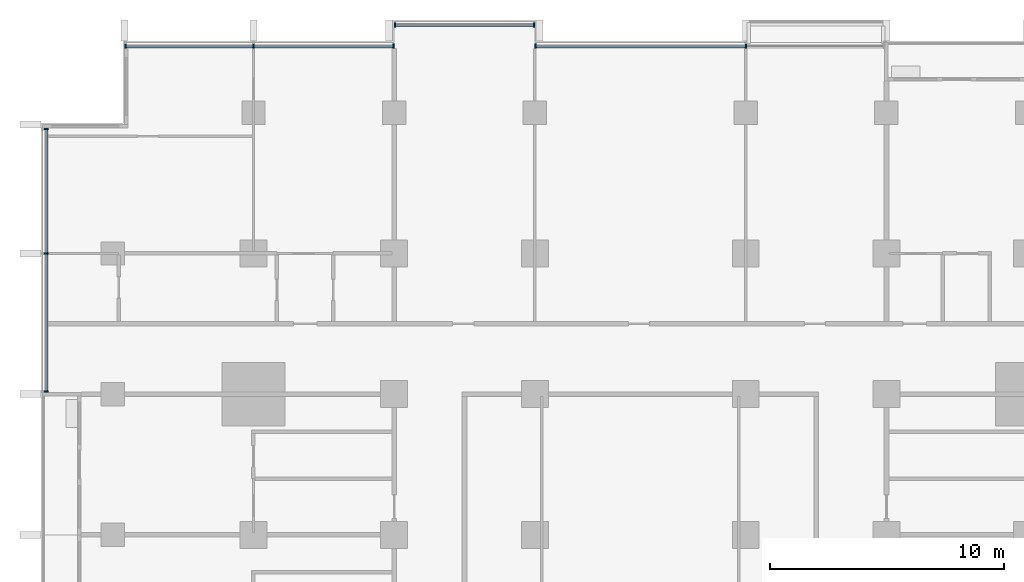
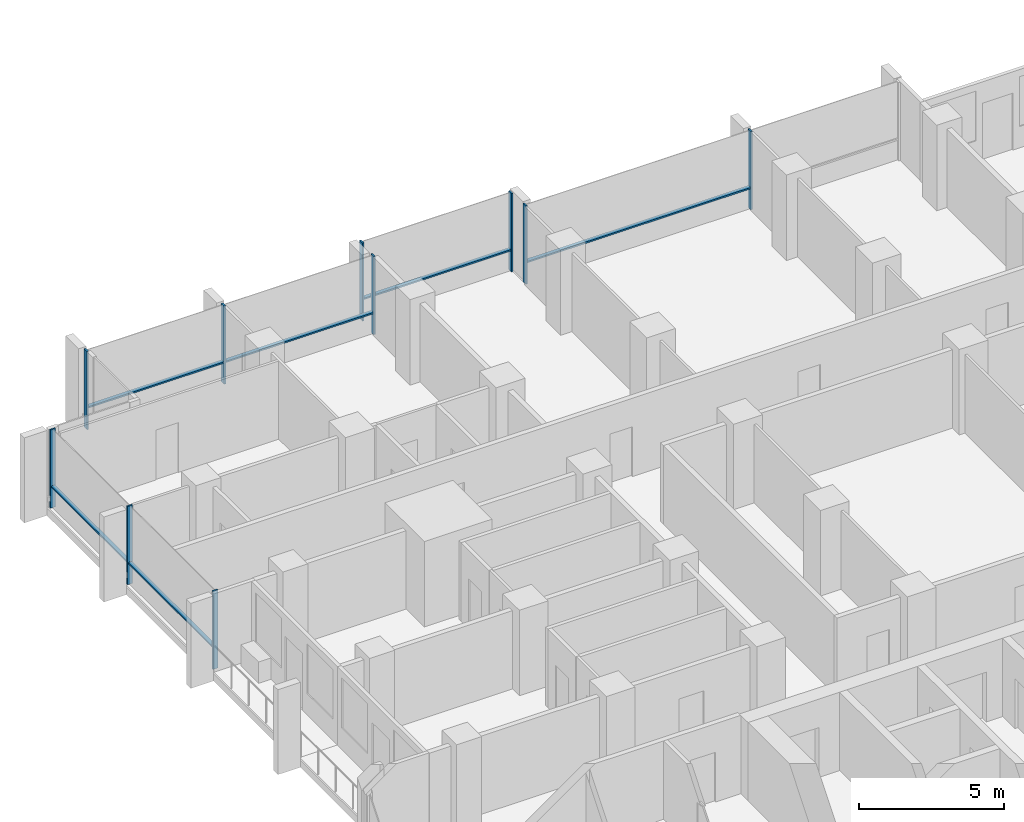
# One storey, part 4 of 17: 16 members, 4 elements without a shape of their own.
"""IFC4 building model written with IfcOpenShell, lengths in metres."""

from ifc_helpers import new_model, si_unit, direction, frame, origin, origin_2d, place, context, subcontext, project, spatial, rectangle, extrude, material, material_profile, profile_set, type_object, element, aggregate, save


model = new_model("IFC4")

# Units and contexts
model_context = context("Model", 3, precision=1e-05, world=origin(), true_north=direction((0.0, 1.0)))
body_context = subcontext(model_context, "Body", "Model", "MODEL_VIEW")
ifc_project = project(units=[si_unit("LENGTHUNIT", "METRE"), si_unit("AREAUNIT", "SQUARE_METRE"), si_unit("VOLUMEUNIT", "CUBIC_METRE"), si_unit("PLANEANGLEUNIT", "RADIAN"), si_unit("MASSUNIT", "GRAM", prefix="KILO")], contexts=[model_context])

# Site, building, storey
site_placement = place(None, origin())
site = spatial("IfcSite", under=ifc_project, at=site_placement, CompositionType="ELEMENT")
building_placement = place(site_placement, origin())
building = spatial("IfcBuilding", under=site, at=building_placement, Name="Finial Court Residences", CompositionType="ELEMENT")
storey_placement = place(building_placement, frame((0.0, 0.0, 117.10009765625)))
storey = spatial("IfcBuildingStorey", under=building, at=storey_placement, Name="L29", CompositionType="ELEMENT", Elevation=117.10009765625)

# Curtain wall, members
ifc_material = material(Name="Bronze anodised aluminium", Category="aluminium")
curtain_wall_type = type_object("IfcCurtainWallType", Name="Unitised curtain wall, lower and middle zones", PredefinedType="NOTDEFINED", material=ifc_material)
curtain_wall_1_placement = place(storey_placement, origin())
curtain_wall_1 = element("IfcCurtainWall", 1, at=curtain_wall_1_placement, inside=storey, type_object=curtain_wall_type, Name="E-L29-CW-N1", PredefinedType="NOTDEFINED")
ifc_material_profile_1 = material_profile(ifc_material, rectangle(XDim=0.199951171875, YDim=0.06494140625, at=origin_2d()), Name="CW1 mullion 65 x 200")
ifc_profile_set_1 = profile_set([ifc_material_profile_1], Name="Bronze anodised aluminium")
member_type_1 = type_object("IfcMemberType", Name="CW1 mullion 65 x 200", PredefinedType="MULLION", material=ifc_profile_set_1)
member_1_placement = place(storey_placement, frame((-21.967529296875, 22.35009765625, 0.0), z_axis=(0.0, 0.0, 1.0), x_axis=(0.0, 1.0, 0.0)))
member_1 = element("IfcMember", 2, at=member_1_placement, type_object=member_type_1, Name="CW1 mullion 1", PredefinedType="MULLION", context=body_context, shape_type="SweptSolid", body=[
    extrude(rectangle(XDim=0.199951171875, YDim=0.06494140625, at=origin_2d()), origin(), (0.0, 0.0, 1.0), 3.2998046875),
])
member_2_placement = place(storey_placement, frame((-16.5, 22.35009765625, 0.0), z_axis=(0.0, 0.0, 1.0), x_axis=(0.0, 1.0, 0.0)))
member_2 = element("IfcMember", 3, at=member_2_placement, type_object=member_type_1, Name="CW1 mullion 2", PredefinedType="MULLION", context=body_context, shape_type="SweptSolid", body=[
    extrude(rectangle(XDim=0.199951171875, YDim=0.06494140625, at=origin_2d()), origin(), (0.0, 0.0, 1.0), 3.2998046875),
])
member_3_placement = place(storey_placement, frame((-10.532470703125, 22.35009765625, 0.0), z_axis=(0.0, 0.0, 1.0), x_axis=(0.0, 1.0, 0.0)))
member_3 = element("IfcMember", 4, at=member_3_placement, type_object=member_type_1, Name="CW1 mullion 3", PredefinedType="MULLION", context=body_context, shape_type="SweptSolid", body=[
    extrude(rectangle(XDim=0.199951171875, YDim=0.06494140625, at=origin_2d()), origin(), (0.0, 0.0, 1.0), 3.2998046875),
])

curtain_wall_2_placement = place(storey_placement, origin())
curtain_wall_2 = element("IfcCurtainWall", 5, at=curtain_wall_2_placement, inside=storey, type_object=curtain_wall_type, Name="E-L29-CW-N2", PredefinedType="NOTDEFINED")
member_4_placement = place(storey_placement, frame((-10.467529296875, 23.25, 0.0), z_axis=(0.0, 0.0, 1.0), x_axis=(0.0, 1.0, 0.0)))
member_4 = element("IfcMember", 6, at=member_4_placement, type_object=member_type_1, Name="CW1 mullion 1", PredefinedType="MULLION", context=body_context, shape_type="SweptSolid", body=[
    extrude(rectangle(XDim=0.199951171875, YDim=0.06494140625, at=origin_2d()), origin(), (0.0, 0.0, 1.0), 3.2998046875),
])
member_5_placement = place(storey_placement, frame((-4.532470703125, 23.25, 0.0), z_axis=(0.0, 0.0, 1.0), x_axis=(0.0, 1.0, 0.0)))
member_5 = element("IfcMember", 7, at=member_5_placement, type_object=member_type_1, Name="CW1 mullion 2", PredefinedType="MULLION", context=body_context, shape_type="SweptSolid", body=[
    extrude(rectangle(XDim=0.199951171875, YDim=0.06494140625, at=origin_2d()), origin(), (0.0, 0.0, 1.0), 3.2998046875),
])

curtain_wall_3_placement = place(storey_placement, origin())
curtain_wall_3 = element("IfcCurtainWall", 8, at=curtain_wall_3_placement, inside=storey, type_object=curtain_wall_type, Name="E-L29-CW-N3", PredefinedType="NOTDEFINED")
member_6_placement = place(storey_placement, frame((-4.467529296875, 22.35009765625, 0.0), z_axis=(0.0, 0.0, 1.0), x_axis=(0.0, 1.0, 0.0)))
member_6 = element("IfcMember", 9, at=member_6_placement, type_object=member_type_1, Name="CW1 mullion 1", PredefinedType="MULLION", context=body_context, shape_type="SweptSolid", body=[
    extrude(rectangle(XDim=0.199951171875, YDim=0.06494140625, at=origin_2d()), origin(), (0.0, 0.0, 1.0), 3.2998046875),
])
member_7_placement = place(storey_placement, frame((4.5, 22.35009765625, 0.0), z_axis=(0.0, 0.0, 1.0), x_axis=(0.0, 1.0, 0.0)))
member_7 = element("IfcMember", 10, at=member_7_placement, type_object=member_type_1, Name="CW1 mullion 2", PredefinedType="MULLION", context=body_context, shape_type="SweptSolid", body=[
    extrude(rectangle(XDim=0.199951171875, YDim=0.06494140625, at=origin_2d()), origin(), (0.0, 0.0, 1.0), 3.2998046875),
])

curtain_wall_4_placement = place(storey_placement, origin())
curtain_wall_4 = element("IfcCurtainWall", 11, at=curtain_wall_4_placement, inside=storey, type_object=curtain_wall_type, Name="E-L29-CW-W13", PredefinedType="NOTDEFINED")
member_8_placement = place(storey_placement, frame((-25.35009765625, 7.607421875, 0.0), z_axis=(0.0, 0.0, 1.0), x_axis=(-1.0, 0.0, 0.0)))
member_8 = element("IfcMember", 12, at=member_8_placement, type_object=member_type_1, Name="CW1 mullion 1", PredefinedType="MULLION", context=body_context, shape_type="SweptSolid", body=[
    extrude(rectangle(XDim=0.199951171875, YDim=0.06494140625, at=origin_2d()), origin(), (0.0, 0.0, 1.0), 3.2998046875),
])
member_9_placement = place(storey_placement, frame((-25.35009765625, 13.5, 0.0), z_axis=(0.0, 0.0, 1.0), x_axis=(-1.0, 0.0, 0.0)))
member_9 = element("IfcMember", 13, at=member_9_placement, type_object=member_type_1, Name="CW1 mullion 2", PredefinedType="MULLION", context=body_context, shape_type="SweptSolid", body=[
    extrude(rectangle(XDim=0.199951171875, YDim=0.06494140625, at=origin_2d()), origin(), (0.0, 0.0, 1.0), 3.2998046875),
])
member_10_placement = place(storey_placement, frame((-25.35009765625, 18.8173828125, 0.0), z_axis=(0.0, 0.0, 1.0), x_axis=(-1.0, 0.0, 0.0)))
member_10 = element("IfcMember", 14, at=member_10_placement, type_object=member_type_1, Name="CW1 mullion 3", PredefinedType="MULLION", context=body_context, shape_type="SweptSolid", body=[
    extrude(rectangle(XDim=0.199951171875, YDim=0.06494140625, at=origin_2d()), origin(), (0.0, 0.0, 1.0), 3.2998046875),
])

# Member
ifc_material_profile_2 = material_profile(ifc_material, rectangle(XDim=0.14990234375, YDim=0.06494140625, at=origin_2d()), Name="CW1 transom 65 x 150")
ifc_profile_set_2 = profile_set([ifc_material_profile_2], Name="Bronze anodised aluminium")
member_type_2 = type_object("IfcMemberType", Name="CW1 transom 65 x 150", PredefinedType="USERDEFINED", material=ifc_profile_set_2)
member_11_placement = place(storey_placement, frame((-21.93505859375, 22.35009765625, 0.89990234375), z_axis=(1.0, 0.0, 0.0), x_axis=(0.0, 1.0, 0.0)))
member_11 = element("IfcMember", 15, at=member_11_placement, type_object=member_type_2, Name="CW1 transom 1.1", ObjectType="TRANSOM", PredefinedType="USERDEFINED", context=body_context, shape_type="SweptSolid", body=[
    extrude(rectangle(XDim=0.14990234375, YDim=0.06494140625, at=origin_2d()), origin(), (0.0, 0.0, 1.0), 5.402587890625),
])

member_12_placement = place(storey_placement, frame((-16.467529296875, 22.35009765625, 0.89990234375), z_axis=(1.0, 0.0, 0.0), x_axis=(0.0, 1.0, 0.0)))
member_12 = element("IfcMember", 16, at=member_12_placement, type_object=member_type_2, Name="CW1 transom 2.1", ObjectType="TRANSOM", PredefinedType="USERDEFINED", context=body_context, shape_type="SweptSolid", body=[
    extrude(rectangle(XDim=0.14990234375, YDim=0.06494140625, at=origin_2d()), origin(), (0.0, 0.0, 1.0), 5.902587890625),
])

aggregate(curtain_wall_1, [member_1, member_2, member_3, member_11, member_12])

member_13_placement = place(storey_placement, frame((-10.43505859375, 23.25, 0.89990234375), z_axis=(1.0, 0.0, 0.0), x_axis=(0.0, 1.0, 0.0)))
member_13 = element("IfcMember", 17, at=member_13_placement, type_object=member_type_2, Name="CW1 transom 1.1", ObjectType="TRANSOM", PredefinedType="USERDEFINED", context=body_context, shape_type="SweptSolid", body=[
    extrude(rectangle(XDim=0.14990234375, YDim=0.06494140625, at=origin_2d()), origin(), (0.0, 0.0, 1.0), 5.8701171875),
])

aggregate(curtain_wall_2, [member_4, member_5, member_13])

member_14_placement = place(storey_placement, frame((-4.43505859375, 22.35009765625, 0.89990234375), z_axis=(1.0, 0.0, 0.0), x_axis=(0.0, 1.0, 0.0)))
member_14 = element("IfcMember", 18, at=member_14_placement, type_object=member_type_2, Name="CW1 transom 1.1", ObjectType="TRANSOM", PredefinedType="USERDEFINED", context=body_context, shape_type="SweptSolid", body=[
    extrude(rectangle(XDim=0.14990234375, YDim=0.06494140625, at=origin_2d()), origin(), (0.0, 0.0, 1.0), 8.902587890625),
])

aggregate(curtain_wall_3, [member_6, member_7, member_14])

member_15_placement = place(storey_placement, frame((-25.35009765625, 7.639892578125, 0.89990234375), z_axis=(0.0, 1.0, 0.0), x_axis=(-1.0, 0.0, 0.0)))
member_15 = element("IfcMember", 19, at=member_15_placement, type_object=member_type_2, Name="CW1 transom 1.1", ObjectType="TRANSOM", PredefinedType="USERDEFINED", context=body_context, shape_type="SweptSolid", body=[
    extrude(rectangle(XDim=0.14990234375, YDim=0.06494140625, at=origin_2d()), origin(), (0.0, 0.0, 1.0), 5.82763671875),
])

member_16_placement = place(storey_placement, frame((-25.35009765625, 13.532470703125, 0.89990234375), z_axis=(0.0, 1.0, 0.0), x_axis=(-1.0, 0.0, 0.0)))
member_16 = element("IfcMember", 20, at=member_16_placement, type_object=member_type_2, Name="CW1 transom 2.1", ObjectType="TRANSOM", PredefinedType="USERDEFINED", context=body_context, shape_type="SweptSolid", body=[
    extrude(rectangle(XDim=0.14990234375, YDim=0.06494140625, at=origin_2d()), origin(), (0.0, 0.0, 1.0), 5.25244140625),
])

aggregate(curtain_wall_4, [member_8, member_9, member_10, member_15, member_16])

save(model, "model.ifc")
